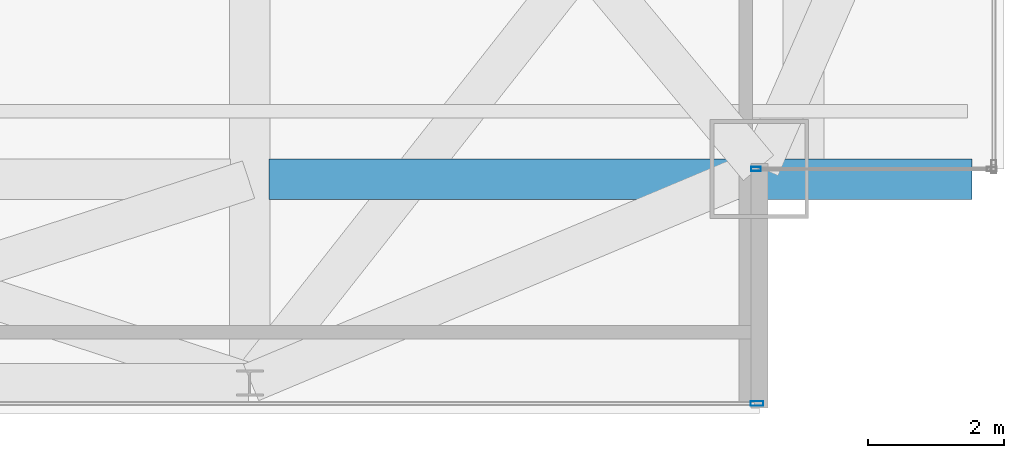
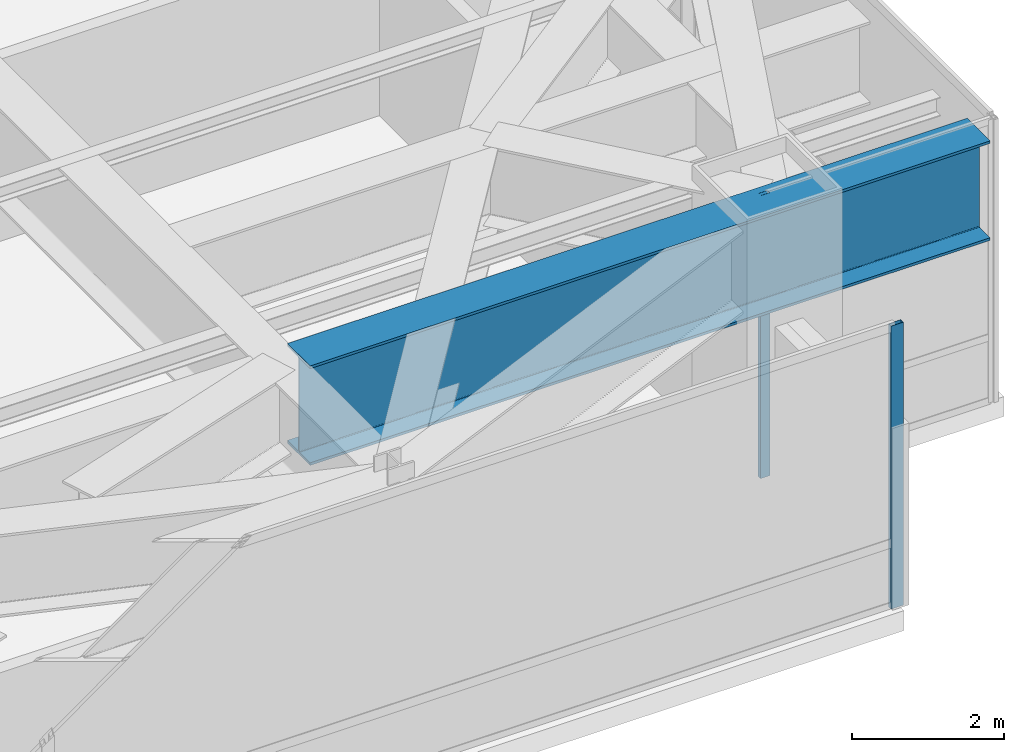
# One storey, part 14 of 32: 2 members, 1 beam, 2 elements without a shape of their own.
"""IFC4 building model written with IfcOpenShell, lengths in metres."""

from ifc_helpers import new_model, si_unit, direction, frame, origin, origin_2d, place, context, subcontext, project, spatial, hollow_rectangle, i_section, extrude, source, transform, mapped, material, layer, layer_set, material_profile, profile_set, type_object, type_shapes, element, aggregate, save


model = new_model("IFC4")

# Units and contexts
model_context = context("Model", 3, precision=1e-05, world=origin(), true_north=direction((0.0, 1.0)))
body_context = subcontext(model_context, "Body", "Model", "MODEL_VIEW")
ifc_project = project(units=[si_unit("LENGTHUNIT", "METRE"), si_unit("AREAUNIT", "SQUARE_METRE"), si_unit("VOLUMEUNIT", "CUBIC_METRE"), si_unit("PLANEANGLEUNIT", "RADIAN"), si_unit("MASSUNIT", "GRAM", prefix="KILO")], contexts=[model_context])

# Site, building, storey
site_placement = place(None, origin())
site = spatial("IfcSite", under=ifc_project, at=site_placement, CompositionType="ELEMENT")
building_placement = place(site_placement, origin())
building = spatial("IfcBuilding", under=site, at=building_placement, Name="Varnel Quay Broadcast Tower", CompositionType="ELEMENT")
storey_placement = place(building_placement, frame((0.0, 0.0, 141.0)))
storey = spatial("IfcBuildingStorey", under=building, at=storey_placement, Name="L34", CompositionType="ELEMENT", Elevation=141.0)

# Beam
ifc_material_1 = material(Name="Structural Steel CSA G40.21 350WT", Category="steel")
ifc_material_profile_1 = material_profile(ifc_material_1, i_section(OverallWidth=0.60009765625, OverallDepth=1.60009765625, WebThickness=0.02392578125, FlangeThickness=0.0419921875, FilletRadius=0.02197265625, at=origin_2d()), Name="WWF1600X620")
ifc_profile_set_1 = profile_set([ifc_material_profile_1], Name="Structural Steel CSA G40.21 350WT")
beam_type = type_object("IfcBeamType", Name="Girder_WWF1600X620", PredefinedType="BEAM", material=ifc_profile_set_1)
shared_shape_1 = source(origin(), body_context, "Body", "SweptSolid", [
    extrude(i_section(OverallWidth=0.60009765625, OverallDepth=1.60009765625, WebThickness=0.02392578125, FlangeThickness=0.0419921875, FilletRadius=0.02197265625, at=origin_2d()), origin(), (0.0, 0.0, 1.0), 10.344970703125),
])
type_shapes(beam_type, [shared_shape_1])
beam_placement = place(storey_placement, frame((52.68505859375, 7.64990234375, 3.75), z_axis=(1.0, 0.0, 0.0), x_axis=(0.0, 1.0, 0.0)))
element("IfcBeam", 1, at=beam_placement, inside=storey, type_object=beam_type, Name="L34 Setback South Transfer Header 6", PredefinedType="BEAM", context=body_context, shape_type="MappedRepresentation", body=[
    mapped(shared_shape_1, transform((0.0, 0.0, 0.0), x_axis=(1.0, 0.0, 0.0), y_axis=(0.0, 1.0, 0.0), z_axis=(0.0, 0.0, 1.0), scale=1.0)),
])

# Curtain wall, member
ifc_material_2 = material(Name="Anodised Bronze Aluminium 6063-T6", Category="aluminium")
ifc_layer_1 = layer(ifc_material_2, 0.18994140625, Name="Anodised Bronze Aluminium 6063-T6")
ifc_layer_set_1 = layer_set([ifc_layer_1], Name="Anodised Bronze Aluminium 6063-T6")
curtain_wall_type_1 = type_object("IfcCurtainWallType", Name="CW_LowerTower", PredefinedType="NOTDEFINED", material=ifc_layer_set_1)
curtain_wall_1_placement = place(storey_placement, origin())
curtain_wall_1 = element("IfcCurtainWall", 2, at=curtain_wall_1_placement, inside=storey, type_object=curtain_wall_type_1, Name="L34 South Unitised Curtain Wall 1", PredefinedType="NOTDEFINED")
ifc_material_profile_2 = material_profile(ifc_material_2, hollow_rectangle(XDim=0.070068359375, YDim=0.18994140625, WallThickness=0.00390625, at=origin_2d()), Name="ALU70X190X4")
ifc_profile_set_2 = profile_set([ifc_material_profile_2], Name="Anodised Bronze Aluminium 6063-T6")
member_type_1 = type_object("IfcMemberType", Name="Mull_CWS-02", PredefinedType="MULLION", material=ifc_profile_set_2)
shared_shape_2 = source(origin(), body_context, "Body", "SweptSolid", [
    extrude(hollow_rectangle(XDim=0.070068359375, YDim=0.18994140625, WallThickness=0.00390625, at=origin_2d()), origin(), (0.0, 0.0, 1.0), 4.550048828125),
])
type_shapes(member_type_1, [shared_shape_2])
member_1_placement = place(storey_placement, frame((59.864990234375, 4.35009765625, 0.0), z_axis=(0.0, 0.0, 1.0), x_axis=(0.0, 1.0, 0.0)))
member_1 = element("IfcMember", 3, at=member_1_placement, type_object=member_type_1, Name="CWS-02 mullion 5", PredefinedType="MULLION", context=body_context, shape_type="MappedRepresentation", body=[
    mapped(shared_shape_2, transform((0.0, 0.0, 0.0), x_axis=(1.0, 0.0, 0.0), y_axis=(0.0, 1.0, 0.0), z_axis=(0.0, 0.0, 1.0), scale=1.0)),
])
aggregate(curtain_wall_1, [member_1])

ifc_layer_2 = layer(ifc_material_2, 0.18994140625, Name="Anodised Bronze Aluminium 6063-T6")
ifc_layer_set_2 = layer_set([ifc_layer_2], Name="Anodised Bronze Aluminium 6063-T6")
curtain_wall_type_2 = type_object("IfcCurtainWallType", Name="CW_NotchCorner", PredefinedType="NOTDEFINED", material=ifc_layer_set_2)
curtain_wall_2_placement = place(storey_placement, origin())
curtain_wall_2 = element("IfcCurtainWall", 4, at=curtain_wall_2_placement, inside=storey, type_object=curtain_wall_type_2, Name="L34 SE Notch Curtain Wall", PredefinedType="NOTDEFINED")
ifc_material_profile_3 = material_profile(ifc_material_2, hollow_rectangle(XDim=0.06005859375, YDim=0.14501953125, WallThickness=0.00341796875, at=origin_2d()), Name="ALU60X145X3.5")
ifc_profile_set_3 = profile_set([ifc_material_profile_3], Name="Anodised Bronze Aluminium 6063-T6")
member_type_2 = type_object("IfcMemberType", Name="Mull_CWS-04", PredefinedType="MULLION", material=ifc_profile_set_3)
shared_shape_3 = source(origin(), body_context, "Body", "SweptSolid", [
    extrude(hollow_rectangle(XDim=0.06005859375, YDim=0.14501953125, WallThickness=0.00341796875, at=origin_2d()), origin(), (0.0, 0.0, 1.0), 4.550048828125),
])
type_shapes(member_type_2, [shared_shape_3])
member_2_placement = place(storey_placement, frame((59.85009765625, 7.800048828125, 0.0), z_axis=(0.0, 0.0, 1.0), x_axis=(0.0, 1.0, 0.0)))
member_2 = element("IfcMember", 5, at=member_2_placement, type_object=member_type_2, Name="CWS-04 mullion 1", PredefinedType="MULLION", context=body_context, shape_type="MappedRepresentation", body=[
    mapped(shared_shape_3, transform((0.0, 0.0, 0.0), x_axis=(1.0, 0.0, 0.0), y_axis=(0.0, 1.0, 0.0), z_axis=(0.0, 0.0, 1.0), scale=1.0)),
])
aggregate(curtain_wall_2, [member_2])

save(model, "model.ifc")
